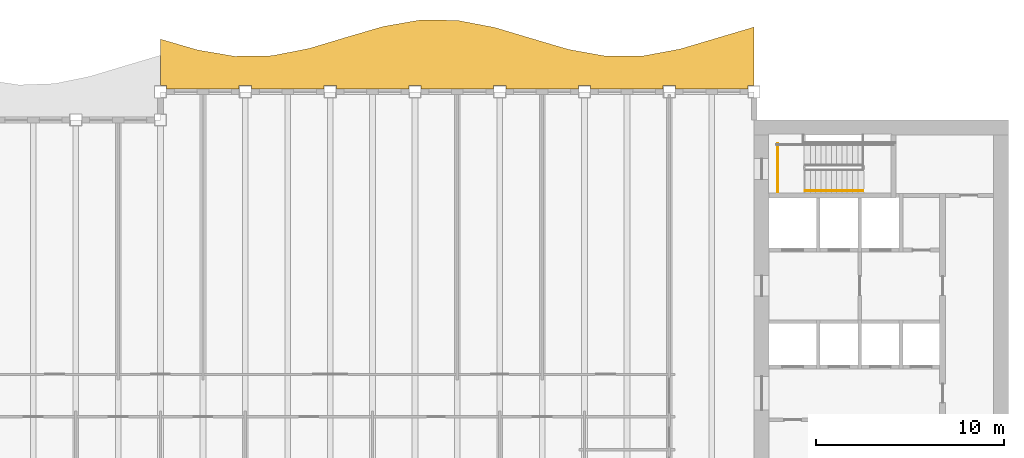
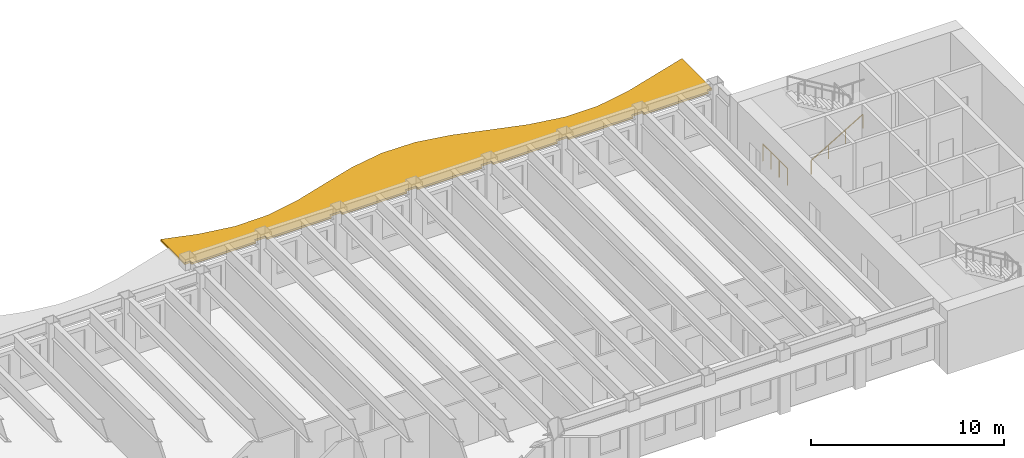
# One storey, part 11 of 12: 2 railings, 1 shading device.
"""IFC4 building model written with IfcOpenShell, lengths in metres."""

from ifc_helpers import new_model, si_unit, direction, frame, origin, origin_2d, place, context, subcontext, project, spatial, polyline, rectangle, outline, extrude, material, layer, layer_set, type_object, element, save


model = new_model("IFC4")

# Units and contexts
model_context = context("Model", 3, precision=1e-05, world=origin(), true_north=direction((0.0, 1.0)))
body_context = subcontext(model_context, "Body", "Model", "MODEL_VIEW")
ifc_project = project(units=[si_unit("LENGTHUNIT", "METRE"), si_unit("AREAUNIT", "SQUARE_METRE"), si_unit("VOLUMEUNIT", "CUBIC_METRE"), si_unit("PLANEANGLEUNIT", "RADIAN"), si_unit("MASSUNIT", "GRAM", prefix="KILO")], contexts=[model_context])

# Site, building, storey
site_placement = place(None, origin())
site = spatial("IfcSite", under=ifc_project, at=site_placement, CompositionType="ELEMENT")
building_placement = place(site_placement, origin())
building = spatial("IfcBuilding", under=site, at=building_placement, Name="Sennacour Bend Tower", CompositionType="ELEMENT")
storey_placement = place(building_placement, frame((0.0, 0.0, 269.0)))
storey = spatial("IfcBuildingStorey", under=building, at=storey_placement, Name="L62", CompositionType="ELEMENT", Elevation=269.0)

# Railings
ifc_material_1 = material(Name="Stainless steel", Category="steel")
railing_type_1 = type_object("IfcRailingType", Name="RL-GUARD-1100", PredefinedType="GUARDRAIL", material=ifc_material_1)
railing_1_placement = place(storey_placement, frame((55.25, 18.699951171875, 0.0)))
element("IfcRailing", 1, at=railing_1_placement, inside=storey, type_object=railing_type_1, Name="L62 SA2 stair guard 7", PredefinedType="GUARDRAIL", context=body_context, shape_type="SweptSolid", body=[
    extrude(rectangle(XDim=0.048095703125, YDim=0.048095703125, at=origin_2d()), frame((0.0, 0.0, 1.076171875), z_axis=(0.0, 1.0, 0.0), x_axis=(-1.0, 0.0, 0.0)), (0.0, 0.0, 1.0), 2.550048828125),
    extrude(rectangle(XDim=0.0419921875, YDim=0.0419921875, at=origin_2d()), origin(), (0.0, 0.0, 1.0), 1.052001953125),
    extrude(rectangle(XDim=0.0419921875, YDim=0.0419921875, at=origin_2d()), frame((0.0, 0.85009765625, 0.0)), (0.0, 0.0, 1.0), 1.052001953125),
    extrude(rectangle(XDim=0.0419921875, YDim=0.0419921875, at=origin_2d()), frame((0.0, 1.699951171875, 0.0)), (0.0, 0.0, 1.0), 1.052001953125),
    extrude(rectangle(XDim=0.0419921875, YDim=0.0419921875, at=origin_2d()), frame((0.0, 2.550048828125, 0.0)), (0.0, 0.0, 1.0), 1.052001953125),
])
railing_type_2 = type_object("IfcRailingType", Name="RL-HANDRAIL-900", PredefinedType="HANDRAIL", material=ifc_material_1)
railing_2_placement = place(storey_placement, frame((56.699951171875, 18.75, 0.166748046875)))
element("IfcRailing", 2, at=railing_2_placement, inside=storey, type_object=railing_type_2, Name="L62 SA2 stair handrail 1", PredefinedType="HANDRAIL", context=body_context, shape_type="SweptSolid", body=[
    extrude(rectangle(XDim=0.048095703125, YDim=0.048095703125, at=origin_2d()), frame((0.0, 0.0, 0.8759765625), z_axis=(0.859308565015, 0.0, 0.511457515432), x_axis=(0.0, 1.0, 0.0)), (0.0, 0.0, 1.0), 3.58447265625),
    extrude(rectangle(XDim=0.0419921875, YDim=0.0419921875, at=origin_2d()), origin(), (0.0, 0.0, 1.0), 0.851806640625),
    extrude(rectangle(XDim=0.0419921875, YDim=0.0419921875, at=origin_2d()), frame((1.026611328125, 0.0, 0.611083984375)), (0.0, 0.0, 1.0), 0.851806640625),
    extrude(rectangle(XDim=0.0419921875, YDim=0.0419921875, at=origin_2d()), frame((2.053466796875, 0.0, 1.22216796875)), (0.0, 0.0, 1.0), 0.851806640625),
    extrude(rectangle(XDim=0.0419921875, YDim=0.0419921875, at=origin_2d()), frame((3.080078125, 0.0, 1.833251953125)), (0.0, 0.0, 1.0), 0.851806640625),
])

# Shading device
ifc_material_2 = material(Name="Bronze anodised aluminium", Category="aluminium")
ifc_layer = layer(ifc_material_2, 0.1201171875, Name="Bronze anodised aluminium", Category="aluminium")
ifc_layer_set = layer_set([ifc_layer], Name="Bronze anodised aluminium")
shading_device_type = type_object("IfcShadingDeviceType", Name="SUNSHADE BAND WAVE", PredefinedType="USERDEFINED", material=ifc_layer_set)
shading_device_placement = place(storey_placement, frame((0.0, 0.0, 3.0419921875)))
element("IfcShadingDevice", 3, at=shading_device_placement, inside=storey, type_object=shading_device_type, Name="Sunshade band L62 concave faces", ObjectType="SUNSHADE", PredefinedType="USERDEFINED", context=body_context, shape_type="SweptSolid", body=[
    extrude(outline(polyline([(53.675048828125, 24.14990234375), (49.824951171875, 24.14990234375), (49.824951171875, 24.324951171875), (49.175048828125, 24.324951171875), (49.175048828125, 24.14990234375), (45.324951171875, 24.14990234375), (45.324951171875, 24.324951171875), (44.675048828125, 24.324951171875), (44.675048828125, 24.14990234375), (40.824951171875, 24.14990234375), (40.824951171875, 24.324951171875), (40.175048828125, 24.324951171875), (40.175048828125, 24.14990234375), (36.324951171875, 24.14990234375), (36.324951171875, 24.324951171875), (35.675048828125, 24.324951171875), (35.675048828125, 24.14990234375), (31.824951171875, 24.14990234375), (31.824951171875, 24.324951171875), (31.175048828125, 24.324951171875), (31.175048828125, 24.14990234375), (27.324951171875, 24.14990234375), (27.324951171875, 24.324951171875), (26.675048828125, 24.324951171875), (26.675048828125, 24.14990234375), (22.824951171875, 24.14990234375), (22.824951171875, 24.324951171875), (22.5, 24.324951171875), (22.5, 26.79296875), (24.46875, 26.2197265625), (26.4375, 25.884765625), (28.40625, 25.914306640625), (30.375, 26.29736328125), (32.34375, 26.889404296875), (34.3125, 27.46630859375), (36.28125, 27.810546875), (38.25, 27.791748046875), (40.21875, 27.41748046875), (42.1875, 26.82861328125), (44.15625, 26.247802734375), (46.125, 25.89453125), (48.09375, 25.90234375), (50.0625, 26.26806640625), (52.03125, 26.853515625), (54.0, 27.437744140625), (54.0, 24.324951171875), (53.675048828125, 24.324951171875), (53.675048828125, 24.14990234375)])), origin(), (0.0, 0.0, 1.0), 0.1201171875),
])

save(model, "model.ifc")
